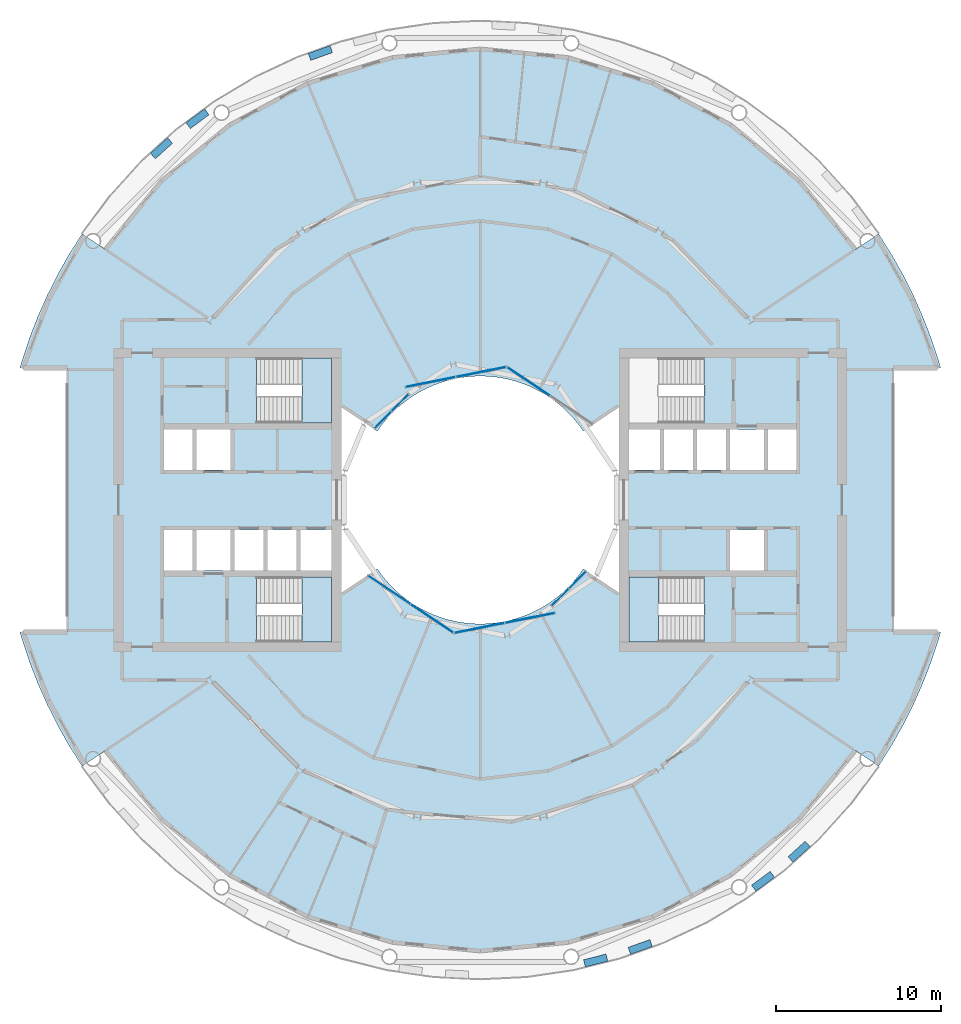
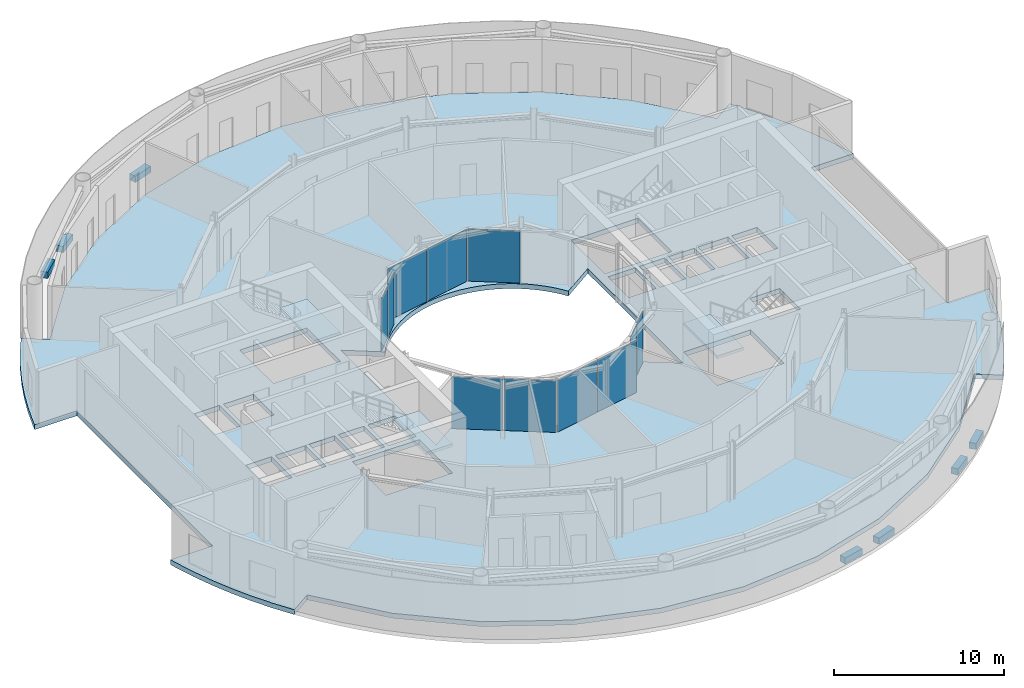
# One storey, part 11 of 21: 11 plates, 11 slabs, 9 elements without a shape of their own.
"""IFC4 building model written with IfcOpenShell, lengths in metres."""

from ifc_helpers import new_model, si_unit, direction, frame, origin, origin_2d, place, context, subcontext, project, spatial, polyline, rectangle, outline, extrude, material, layer, layer_set, type_object, element, aggregate, save


model = new_model("IFC4")

# Units and contexts
model_context = context("Model", 3, precision=1e-05, world=origin(), true_north=direction((0.0, 1.0)))
body_context = subcontext(model_context, "Body", "Model", "MODEL_VIEW")
ifc_project = project(units=[si_unit("LENGTHUNIT", "METRE"), si_unit("AREAUNIT", "SQUARE_METRE"), si_unit("VOLUMEUNIT", "CUBIC_METRE"), si_unit("PLANEANGLEUNIT", "RADIAN"), si_unit("MASSUNIT", "GRAM", prefix="KILO")], contexts=[model_context])

# Site, building, storey
site_placement = place(None, origin())
site = spatial("IfcSite", under=ifc_project, at=site_placement, CompositionType="ELEMENT")
building_placement = place(site_placement, origin())
building = spatial("IfcBuilding", under=site, at=building_placement, Name="Maasbend Ring Residences", CompositionType="ELEMENT")
storey_placement = place(building_placement, frame((0.0, 0.0, 107.449951171875)))
storey = spatial("IfcBuildingStorey", under=building, at=storey_placement, Name="L30", CompositionType="ELEMENT", Elevation=107.449951171875)

# Stair, slab
ifc_material_1 = material(Name="Concrete C40/50", Category="concrete")
stair_type = type_object("IfcStairType", Name="CORE STAIR 24 RISERS", PredefinedType="HALF_TURN_STAIR", material=ifc_material_1)
stair_1_placement = place(storey_placement, origin())
stair_1 = element("IfcStair", 1, at=stair_1_placement, inside=storey, type_object=stair_type, Name="L30 Exit stair ST-E2", PredefinedType="HALF_TURN_STAIR")
ifc_material_2 = material(Name="Concrete C40/50", Category="concrete")
ifc_layer_1 = layer(ifc_material_2, 0.199951171875)
ifc_layer_set_1 = layer_set([ifc_layer_1], Name="Concrete C40/50")
slab_type_1 = type_object("IfcSlabType", Name="CORE STAIR LANDING 200", PredefinedType="LANDING", material=ifc_layer_set_1)
slab_1_placement = place(storey_placement, frame((0.0, 0.0, 1.900146484375)))
slab_1 = element("IfcSlab", 2, at=slab_1_placement, type_object=slab_type_1, Name="ST-E2 landing 1", PredefinedType="LANDING", context=body_context, shape_type="SweptSolid", body=[
    extrude(outline(polyline([(10.800048828125, -4.64990234375), (9.0, -4.64990234375), (9.0, -8.60009765625), (10.800048828125, -8.60009765625), (10.800048828125, -4.64990234375)])), origin(), (0.0, 0.0, 1.0), 0.199951171875),
])
aggregate(stair_1, [slab_1])

stair_2_placement = place(storey_placement, origin())
stair_2 = element("IfcStair", 3, at=stair_2_placement, inside=storey, type_object=stair_type, Name="L30 Exit stair ST-W1", PredefinedType="HALF_TURN_STAIR")
slab_2_placement = place(storey_placement, frame((0.0, 0.0, 1.900146484375)))
slab_2 = element("IfcSlab", 4, at=slab_2_placement, type_object=slab_type_1, Name="ST-W1 landing 1", PredefinedType="LANDING", context=body_context, shape_type="SweptSolid", body=[
    extrude(outline(polyline([(-10.800048828125, -8.60009765625), (-9.0, -8.60009765625), (-9.0, -4.64990234375), (-10.800048828125, -4.64990234375), (-10.800048828125, -8.60009765625)])), origin(), (0.0, 0.0, 1.0), 0.199951171875),
])
aggregate(stair_2, [slab_2])

stair_3_placement = place(storey_placement, origin())
stair_3 = element("IfcStair", 5, at=stair_3_placement, inside=storey, type_object=stair_type, Name="L30 Exit stair ST-W2", PredefinedType="HALF_TURN_STAIR")
slab_3_placement = place(storey_placement, frame((0.0, 0.0, 1.900146484375)))
slab_3 = element("IfcSlab", 6, at=slab_3_placement, type_object=slab_type_1, Name="ST-W2 landing 1", PredefinedType="LANDING", context=body_context, shape_type="SweptSolid", body=[
    extrude(outline(polyline([(-10.800048828125, 4.64990234375), (-9.0, 4.64990234375), (-9.0, 8.60009765625), (-10.800048828125, 8.60009765625), (-10.800048828125, 4.64990234375)])), origin(), (0.0, 0.0, 1.0), 0.199951171875),
])
aggregate(stair_3, [slab_3])

# Curtain wall, plate
ifc_material_3 = material(Name="Aluminium and clear glass", Category="aluminium")
ifc_layer_2 = layer(ifc_material_3, 0.179931640625)
ifc_layer_set_2 = layer_set([ifc_layer_2], Name="CW-W")
curtain_wall_type = type_object("IfcCurtainWallType", Name="CW-W", PredefinedType="NOTDEFINED", material=ifc_layer_set_2)
curtain_wall_1_placement = place(storey_placement, origin())
curtain_wall_1 = element("IfcCurtainWall", 7, at=curtain_wall_1_placement, inside=storey, type_object=curtain_wall_type, Name="Well curtain wall N1", PredefinedType="NOTDEFINED")
ifc_material_4 = material(Name="Glass clear laminated", Category="glass")
ifc_layer_3 = layer(ifc_material_4, 0.031982421875)
ifc_layer_set_3 = layer_set([ifc_layer_3], Name="CWP-W")
plate_type = type_object("IfcPlateType", Name="CWP-W", PredefinedType="CURTAIN_PANEL", material=ifc_layer_set_3)
plate_1_placement = place(storey_placement, frame((2.922119140625, 7.17578125, 0.0), z_axis=(0.0, 0.0, 1.0), x_axis=(-0.831469612303, 0.55557023302, 0.0)))
plate_1 = element("IfcPlate", 8, at=plate_1_placement, type_object=plate_type, Name="Glass panel well face", PredefinedType="CURTAIN_PANEL", context=body_context, shape_type="SweptSolid", body=[
    extrude(rectangle(XDim=3.053955078125, YDim=0.031982421875, at=origin_2d()), origin(), (0.0, 0.0, 1.0), 3.72998046875),
])
aggregate(curtain_wall_1, [plate_1])

# Curtain wall, plates
curtain_wall_2_placement = place(storey_placement, origin())
curtain_wall_2 = element("IfcCurtainWall", 9, at=curtain_wall_2_placement, inside=storey, type_object=curtain_wall_type, Name="Well curtain wall N2", PredefinedType="NOTDEFINED")
plate_2_placement = place(storey_placement, frame((0.04638671875, 7.747802734375, 0.0), z_axis=(0.0, 0.0, 1.0), x_axis=(-0.980785280403, -0.195090322016, 0.0)))
plate_2 = element("IfcPlate", 10, at=plate_2_placement, type_object=plate_type, Name="Glass panel well face", PredefinedType="CURTAIN_PANEL", context=body_context, shape_type="SweptSolid", body=[
    extrude(rectangle(XDim=3.053955078125, YDim=0.031982421875, at=origin_2d()), origin(), (0.0, 0.0, 1.0), 3.72998046875),
])
plate_3_placement = place(storey_placement, frame((-3.0078125, 7.140380859375, 0.0), z_axis=(0.0, 0.0, 1.0), x_axis=(-0.980785280403, -0.195090322016, 0.0)))
plate_3 = element("IfcPlate", 11, at=plate_3_placement, type_object=plate_type, Name="Glass panel well face", PredefinedType="CURTAIN_PANEL", context=body_context, shape_type="SweptSolid", body=[
    extrude(rectangle(XDim=3.053955078125, YDim=0.031982421875, at=origin_2d()), origin(), (0.0, 0.0, 1.0), 3.72998046875),
])
aggregate(curtain_wall_2, [plate_2, plate_3])

curtain_wall_3_placement = place(storey_placement, origin())
curtain_wall_3 = element("IfcCurtainWall", 12, at=curtain_wall_3_placement, inside=storey, type_object=curtain_wall_type, Name="Well curtain wall N3", PredefinedType="NOTDEFINED")
plate_4_placement = place(storey_placement, frame((-4.84375, 5.89013671875, 0.0), z_axis=(0.0, 0.0, 1.0), x_axis=(-0.707106781187, -0.707106781187, 0.0)))
plate_4 = element("IfcPlate", 13, at=plate_4_placement, type_object=plate_type, Name="Glass panel well face", PredefinedType="CURTAIN_PANEL", context=body_context, shape_type="SweptSolid", body=[
    extrude(rectangle(XDim=1.419677734375, YDim=0.031982421875, at=origin_2d()), origin(), (0.0, 0.0, 1.0), 3.72998046875),
])
plate_5_placement = place(storey_placement, frame((-5.89013671875, 4.84375, 0.0), z_axis=(0.0, 0.0, 1.0), x_axis=(-0.707106781187, -0.707106781187, 0.0)))
plate_5 = element("IfcPlate", 14, at=plate_5_placement, type_object=plate_type, Name="Glass panel well face", PredefinedType="CURTAIN_PANEL", context=body_context, shape_type="SweptSolid", body=[
    extrude(rectangle(XDim=1.419677734375, YDim=0.031982421875, at=origin_2d()), origin(), (0.0, 0.0, 1.0), 3.72998046875),
])
aggregate(curtain_wall_3, [plate_4, plate_5])

curtain_wall_4_placement = place(storey_placement, origin())
curtain_wall_4 = element("IfcCurtainWall", 15, at=curtain_wall_4_placement, inside=storey, type_object=curtain_wall_type, Name="Well curtain wall S1", PredefinedType="NOTDEFINED")
plate_6_placement = place(storey_placement, frame((-5.51123046875, -5.44580078125, 0.0), z_axis=(0.0, 0.0, 1.0), x_axis=(0.831469612303, -0.55557023302, 0.0)))
plate_6 = element("IfcPlate", 16, at=plate_6_placement, type_object=plate_type, Name="Glass panel well face", PredefinedType="CURTAIN_PANEL", context=body_context, shape_type="SweptSolid", body=[
    extrude(rectangle(XDim=3.053955078125, YDim=0.031982421875, at=origin_2d()), origin(), (0.0, 0.0, 1.0), 3.72998046875),
])
plate_7_placement = place(storey_placement, frame((-2.922119140625, -7.17578125, 0.0), z_axis=(0.0, 0.0, 1.0), x_axis=(0.831469612303, -0.55557023302, 0.0)))
plate_7 = element("IfcPlate", 17, at=plate_7_placement, type_object=plate_type, Name="Glass panel well face", PredefinedType="CURTAIN_PANEL", context=body_context, shape_type="SweptSolid", body=[
    extrude(rectangle(XDim=3.053955078125, YDim=0.031982421875, at=origin_2d()), origin(), (0.0, 0.0, 1.0), 3.72998046875),
])
aggregate(curtain_wall_4, [plate_6, plate_7])

curtain_wall_5_placement = place(storey_placement, origin())
curtain_wall_5 = element("IfcCurtainWall", 18, at=curtain_wall_5_placement, inside=storey, type_object=curtain_wall_type, Name="Well curtain wall S2", PredefinedType="NOTDEFINED")
plate_8_placement = place(storey_placement, frame((-0.04638671875, -7.747802734375, 0.0), z_axis=(0.0, 0.0, 1.0), x_axis=(0.980785280403, 0.195090322016, 0.0)))
plate_8 = element("IfcPlate", 19, at=plate_8_placement, type_object=plate_type, Name="Glass panel well face", PredefinedType="CURTAIN_PANEL", context=body_context, shape_type="SweptSolid", body=[
    extrude(rectangle(XDim=3.053955078125, YDim=0.031982421875, at=origin_2d()), origin(), (0.0, 0.0, 1.0), 3.72998046875),
])
plate_9_placement = place(storey_placement, frame((3.0078125, -7.140380859375, 0.0), z_axis=(0.0, 0.0, 1.0), x_axis=(0.980785280403, 0.195090322016, 0.0)))
plate_9 = element("IfcPlate", 20, at=plate_9_placement, type_object=plate_type, Name="Glass panel well face", PredefinedType="CURTAIN_PANEL", context=body_context, shape_type="SweptSolid", body=[
    extrude(rectangle(XDim=3.053955078125, YDim=0.031982421875, at=origin_2d()), origin(), (0.0, 0.0, 1.0), 3.72998046875),
])
aggregate(curtain_wall_5, [plate_8, plate_9])

curtain_wall_6_placement = place(storey_placement, origin())
curtain_wall_6 = element("IfcCurtainWall", 21, at=curtain_wall_6_placement, inside=storey, type_object=curtain_wall_type, Name="Well curtain wall S3", PredefinedType="NOTDEFINED")
plate_10_placement = place(storey_placement, frame((4.84375, -5.89013671875, 0.0), z_axis=(0.0, 0.0, 1.0), x_axis=(0.707106781187, 0.707106781187, 0.0)))
plate_10 = element("IfcPlate", 22, at=plate_10_placement, type_object=plate_type, Name="Glass panel well face", PredefinedType="CURTAIN_PANEL", context=body_context, shape_type="SweptSolid", body=[
    extrude(rectangle(XDim=1.419677734375, YDim=0.031982421875, at=origin_2d()), origin(), (0.0, 0.0, 1.0), 3.72998046875),
])
plate_11_placement = place(storey_placement, frame((5.89013671875, -4.84375, 0.0), z_axis=(0.0, 0.0, 1.0), x_axis=(0.707106781187, 0.707106781187, 0.0)))
plate_11 = element("IfcPlate", 23, at=plate_11_placement, type_object=plate_type, Name="Glass panel well face", PredefinedType="CURTAIN_PANEL", context=body_context, shape_type="SweptSolid", body=[
    extrude(rectangle(XDim=1.419677734375, YDim=0.031982421875, at=origin_2d()), origin(), (0.0, 0.0, 1.0), 3.72998046875),
])
aggregate(curtain_wall_6, [plate_10, plate_11])

# Slabs
ifc_material_5 = material(Name="Planting with climbing greenery")
ifc_layer_4 = layer(ifc_material_5, 0.449951171875)
ifc_layer_set_4 = layer_set([ifc_layer_4], Name="PLANTER-LG")
slab_type_2 = type_object("IfcSlabType", Name="PLANTER-LG", PredefinedType="USERDEFINED", material=ifc_layer_set_4)
slab_4_placement = place(storey_placement, frame((0.0, 0.0, -0.030029296875)))
element("IfcSlab", 24, at=slab_4_placement, inside=storey, type_object=slab_type_2, Name="Planter with climbing greenery 8", ObjectType="PLANTER", PredefinedType="USERDEFINED", context=body_context, shape_type="SweptSolid", body=[
    extrude(outline(polyline([(-9.09912109375, 27.508056640625), (-10.4169921875, 27.035888671875), (-10.26611328125, 26.612060546875), (-8.947021484375, 27.083984375), (-9.09912109375, 27.508056640625)])), origin(), (0.0, 0.0, 1.0), 0.4501953125),
])
slab_5_placement = place(storey_placement, frame((0.0, 0.0, -0.030029296875)))
element("IfcSlab", 25, at=slab_5_placement, inside=storey, type_object=slab_type_2, Name="Planter with climbing greenery 9", ObjectType="PLANTER", PredefinedType="USERDEFINED", context=body_context, shape_type="SweptSolid", body=[
    extrude(outline(polyline([(-16.69189453125, 23.681884765625), (-17.81689453125, 22.847900390625), (-17.549072265625, 22.487060546875), (-16.424072265625, 23.321044921875), (-16.69189453125, 23.681884765625)])), origin(), (0.0, 0.0, 1.0), 0.4501953125),
])
slab_6_placement = place(storey_placement, frame((0.0, 0.0, -0.030029296875)))
element("IfcSlab", 26, at=slab_6_placement, inside=storey, type_object=slab_type_2, Name="Planter with climbing greenery 10", ObjectType="PLANTER", PredefinedType="USERDEFINED", context=body_context, shape_type="SweptSolid", body=[
    extrude(outline(polyline([(-18.93310546875, 21.931884765625), (-19.969970703125, 20.991943359375), (-19.66796875, 20.657958984375), (-18.631103515625, 21.597900390625), (-18.93310546875, 21.931884765625)])), origin(), (0.0, 0.0, 1.0), 0.4501953125),
])
slab_7_placement = place(storey_placement, frame((0.0, 0.0, -0.030029296875)))
element("IfcSlab", 27, at=slab_7_placement, inside=storey, type_object=slab_type_2, Name="Planter with climbing greenery 7", ObjectType="PLANTER", PredefinedType="USERDEFINED", context=body_context, shape_type="SweptSolid", body=[
    extrude(outline(polyline([(6.35888671875, -28.26708984375), (7.717041015625, -27.927001953125), (7.60791015625, -27.489990234375), (6.25, -27.8310546875), (6.35888671875, -28.26708984375)])), origin(), (0.0, 0.0, 1.0), 0.4501953125),
])
slab_8_placement = place(storey_placement, frame((0.0, 0.0, -0.030029296875)))
element("IfcSlab", 28, at=slab_8_placement, inside=storey, type_object=slab_type_2, Name="Planter with climbing greenery 8", ObjectType="PLANTER", PredefinedType="USERDEFINED", context=body_context, shape_type="SweptSolid", body=[
    extrude(outline(polyline([(9.09912109375, -27.508056640625), (10.4169921875, -27.035888671875), (10.26611328125, -26.612060546875), (8.947021484375, -27.083984375), (9.09912109375, -27.508056640625)])), origin(), (0.0, 0.0, 1.0), 0.4501953125),
])
slab_9_placement = place(storey_placement, frame((0.0, 0.0, -0.030029296875)))
element("IfcSlab", 29, at=slab_9_placement, inside=storey, type_object=slab_type_2, Name="Planter with climbing greenery 9", ObjectType="PLANTER", PredefinedType="USERDEFINED", context=body_context, shape_type="SweptSolid", body=[
    extrude(outline(polyline([(16.69189453125, -23.681884765625), (17.81689453125, -22.847900390625), (17.549072265625, -22.487060546875), (16.424072265625, -23.321044921875), (16.69189453125, -23.681884765625)])), origin(), (0.0, 0.0, 1.0), 0.4501953125),
])
slab_10_placement = place(storey_placement, frame((0.0, 0.0, -0.030029296875)))
element("IfcSlab", 30, at=slab_10_placement, inside=storey, type_object=slab_type_2, Name="Planter with climbing greenery 10", ObjectType="PLANTER", PredefinedType="USERDEFINED", context=body_context, shape_type="SweptSolid", body=[
    extrude(outline(polyline([(18.93310546875, -21.931884765625), (19.969970703125, -20.991943359375), (19.66796875, -20.657958984375), (18.631103515625, -21.597900390625), (18.93310546875, -21.931884765625)])), origin(), (0.0, 0.0, 1.0), 0.4501953125),
])
ifc_material_6 = material(Name="Concrete C40/50", Category="concrete")
ifc_layer_5 = layer(ifc_material_6, 0.35009765625)
ifc_layer_set_5 = layer_set([ifc_layer_5], Name="Concrete C40/50")
slab_type_3 = type_object("IfcSlabType", Name="Post-tensioned flat plate 350", PredefinedType="FLOOR", material=ifc_layer_set_5)
slab_11_placement = place(storey_placement, frame((0.0, 0.0, -0.349853515625)))
element("IfcSlab", 31, at=slab_11_placement, inside=storey, type_object=slab_type_3, Name="Floor slab L30", PredefinedType="FLOOR", context=body_context, shape_type="SweptSolid", body=[
    extrude(outline(polyline([(24.8740234375, -14.908935546875), (25.57568359375, -13.67041015625), (26.2158203125, -12.399169921875), (26.79248046875, -11.097900390625), (27.3046875, -9.769775390625), (27.751220703125, -8.418212890625), (27.866943359375, -8.0), (25.0, -8.0), (25.0, 8.0), (27.866943359375, 8.0), (27.751220703125, 8.418212890625), (27.3046875, 9.769775390625), (26.79248046875, 11.097900390625), (26.2158203125, 12.399169921875), (25.57568359375, 13.67041015625), (24.8740234375, 14.908935546875), (24.112548828125, 16.111572265625), (22.69921875, 15.1669921875), (19.303955078125, 19.303955078125), (15.1669921875, 22.69921875), (10.447265625, 25.221923828125), (5.325927734375, 26.775390625), (0.0, 27.300048828125), (-5.325927734375, 26.775390625), (-10.447265625, 25.221923828125), (-15.1669921875, 22.69921875), (-19.303955078125, 19.303955078125), (-22.69921875, 15.1669921875), (-24.112548828125, 16.111572265625), (-24.8740234375, 14.908935546875), (-25.57568359375, 13.67041015625), (-26.2158203125, 12.399169921875), (-26.79248046875, 11.097900390625), (-27.3046875, 9.769775390625), (-27.751220703125, 8.418212890625), (-27.866943359375, 8.0), (-25.0, 8.0), (-25.0, -8.0), (-27.866943359375, -8.0), (-27.751220703125, -8.418212890625), (-27.3046875, -9.769775390625), (-26.79248046875, -11.097900390625), (-26.2158203125, -12.399169921875), (-25.57568359375, -13.67041015625), (-24.8740234375, -14.908935546875), (-24.112548828125, -16.111572265625), (-22.69921875, -15.1669921875), (-19.303955078125, -19.303955078125), (-15.1669921875, -22.69921875), (-10.447265625, -25.221923828125), (-5.325927734375, -26.775390625), (0.0, -27.300048828125), (5.325927734375, -26.775390625), (10.447265625, -25.221923828125), (15.1669921875, -22.69921875), (19.303955078125, -19.303955078125), (22.69921875, -15.1669921875), (24.112548828125, -16.111572265625), (24.8740234375, -14.908935546875)]), holes=[polyline([(17.425048828125, 4.27490234375), (19.14990234375, 4.27490234375), (19.14990234375, 1.824951171875), (17.425048828125, 1.824951171875), (17.425048828125, 4.27490234375)]), polyline([(15.125, 1.824951171875), (15.125, 4.27490234375), (17.175048828125, 4.27490234375), (17.175048828125, 1.824951171875), (15.125, 1.824951171875)]), polyline([(15.125, -4.27490234375), (15.125, -1.824951171875), (17.175048828125, -1.824951171875), (17.175048828125, -4.27490234375), (15.125, -4.27490234375)]), polyline([(13.125, 1.824951171875), (13.125, 4.27490234375), (14.875, 4.27490234375), (14.875, 1.824951171875), (13.125, 1.824951171875)]), polyline([(13.550048828125, 4.64990234375), (9.0, 4.64990234375), (9.0, 8.60009765625), (13.550048828125, 8.60009765625), (13.550048828125, 4.64990234375)]), polyline([(13.550048828125, -4.64990234375), (13.550048828125, -8.60009765625), (9.0, -8.60009765625), (9.0, -4.64990234375), (13.550048828125, -4.64990234375)]), polyline([(11.125, 1.824951171875), (11.125, 4.27490234375), (12.875, 4.27490234375), (12.875, 1.824951171875), (11.125, 1.824951171875)]), polyline([(9.0, 1.824951171875), (9.0, 4.27490234375), (10.875, 4.27490234375), (10.875, 1.824951171875), (9.0, 1.824951171875)]), polyline([(6.024169921875, 4.4677734375), (6.236083984375, 4.166748046875), (8.39990234375, 5.61279296875), (8.39990234375, -5.61279296875), (6.236083984375, -4.166748046875), (6.024169921875, -4.4677734375), (5.797607421875, -4.7578125), (5.55712890625, -5.03662109375), (5.30322265625, -5.30322265625), (5.03662109375, -5.55712890625), (4.7578125, -5.797607421875), (4.4677734375, -6.024169921875), (4.166748046875, -6.236083984375), (3.855712890625, -6.43310546875), (3.535400390625, -6.614501953125), (3.206787109375, -6.77978515625), (2.8701171875, -6.92919921875), (2.526611328125, -7.0615234375), (2.177001953125, -7.177001953125), (1.822509765625, -7.275146484375), (1.463134765625, -7.35595703125), (1.1005859375, -7.418701171875), (0.735107421875, -7.4638671875), (0.367919921875, -7.490966796875), (0.0, -7.5), (-0.367919921875, -7.490966796875), (-0.735107421875, -7.4638671875), (-1.1005859375, -7.418701171875), (-1.463134765625, -7.35595703125), (-1.822509765625, -7.275146484375), (-2.177001953125, -7.177001953125), (-2.526611328125, -7.0615234375), (-2.8701171875, -6.92919921875), (-3.206787109375, -6.77978515625), (-3.535400390625, -6.614501953125), (-3.855712890625, -6.43310546875), (-4.166748046875, -6.236083984375), (-4.4677734375, -6.024169921875), (-4.7578125, -5.797607421875), (-5.03662109375, -5.55712890625), (-5.30322265625, -5.30322265625), (-5.55712890625, -5.03662109375), (-5.797607421875, -4.7578125), (-6.024169921875, -4.4677734375), (-6.236083984375, -4.166748046875), (-8.39990234375, -5.61279296875), (-8.39990234375, 5.61279296875), (-6.236083984375, 4.166748046875), (-6.236083984375, 4.166748046875), (-6.024169921875, 4.4677734375), (-5.797607421875, 4.7578125), (-5.55712890625, 5.03662109375), (-5.30322265625, 5.30322265625), (-5.03662109375, 5.55712890625), (-4.7578125, 5.797607421875), (-4.4677734375, 6.024169921875), (-4.166748046875, 6.236083984375), (-3.855712890625, 6.43310546875), (-3.535400390625, 6.614501953125), (-3.206787109375, 6.77978515625), (-2.8701171875, 6.92919921875), (-2.526611328125, 7.0615234375), (-2.177001953125, 7.177001953125), (-1.822509765625, 7.275146484375), (-1.463134765625, 7.35595703125), (-1.1005859375, 7.418701171875), (-0.735107421875, 7.4638671875), (-0.367919921875, 7.490966796875), (0.0, 7.5), (0.367919921875, 7.490966796875), (0.735107421875, 7.4638671875), (1.1005859375, 7.418701171875), (1.463134765625, 7.35595703125), (1.822509765625, 7.275146484375), (2.177001953125, 7.177001953125), (2.526611328125, 7.0615234375), (2.8701171875, 6.92919921875), (3.206787109375, 6.77978515625), (3.535400390625, 6.614501953125), (3.855712890625, 6.43310546875), (4.166748046875, 6.236083984375), (4.4677734375, 6.024169921875), (4.7578125, 5.797607421875), (5.03662109375, 5.55712890625), (5.30322265625, 5.30322265625), (5.55712890625, 5.03662109375), (5.797607421875, 4.7578125), (6.024169921875, 4.4677734375)]), polyline([(-13.550048828125, 4.64990234375), (-13.550048828125, 8.60009765625), (-9.0, 8.60009765625), (-9.0, 4.64990234375), (-13.550048828125, 4.64990234375)]), polyline([(-13.550048828125, -8.60009765625), (-13.550048828125, -4.64990234375), (-9.0, -4.64990234375), (-9.0, -8.60009765625), (-13.550048828125, -8.60009765625)]), polyline([(-9.0, -1.824951171875), (-9.0, -4.27490234375), (-10.875, -4.27490234375), (-10.875, -1.824951171875), (-9.0, -1.824951171875)]), polyline([(-11.125, -1.824951171875), (-11.125, -4.27490234375), (-12.875, -4.27490234375), (-12.875, -1.824951171875), (-11.125, -1.824951171875)]), polyline([(-13.125, -1.824951171875), (-13.125, -4.27490234375), (-14.875, -4.27490234375), (-14.875, -1.824951171875), (-13.125, -1.824951171875)]), polyline([(-15.125, 4.27490234375), (-15.125, 1.824951171875), (-17.175048828125, 1.824951171875), (-17.175048828125, 4.27490234375), (-15.125, 4.27490234375)]), polyline([(-15.125, -1.824951171875), (-15.125, -4.27490234375), (-17.175048828125, -4.27490234375), (-17.175048828125, -1.824951171875), (-15.125, -1.824951171875)]), polyline([(-17.425048828125, -1.824951171875), (-17.425048828125, -4.27490234375), (-19.14990234375, -4.27490234375), (-19.14990234375, -1.824951171875), (-17.425048828125, -1.824951171875)]), polyline([(-17.425048828125, 4.27490234375), (-17.425048828125, 1.824951171875), (-19.14990234375, 1.824951171875), (-19.14990234375, 4.27490234375), (-17.425048828125, 4.27490234375)])]), origin(), (0.0, 0.0, 1.0), 0.349853515625),
])

save(model, "model.ifc")
